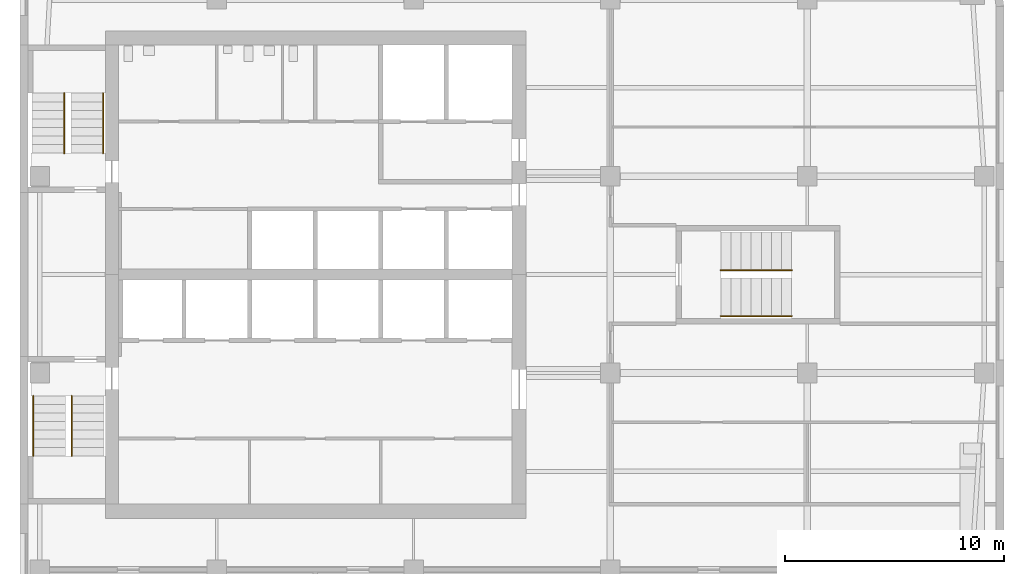
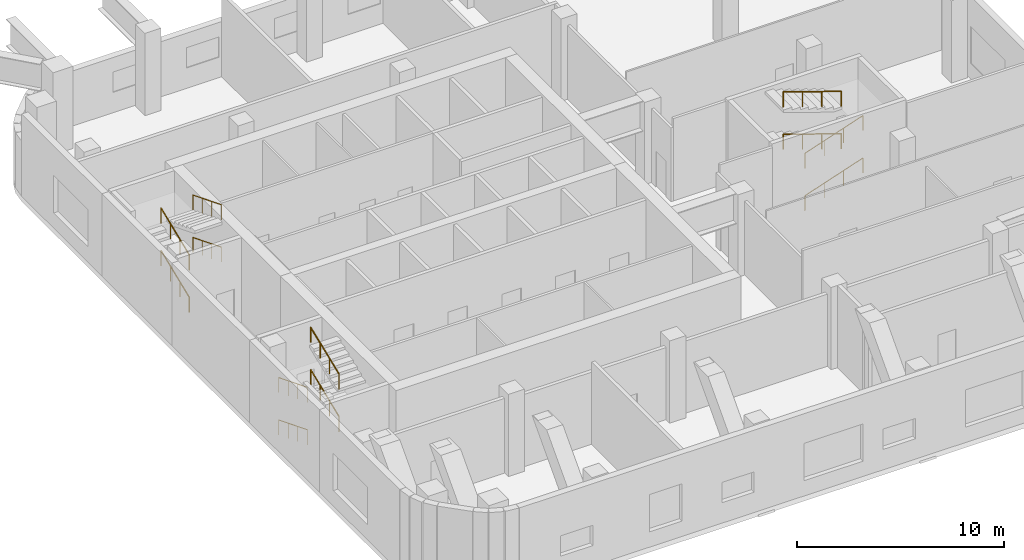
# One storey, part 7 of 8: 12 railings, 3 elements without a shape of their own.
"""IFC4 building model written with IfcOpenShell, lengths in metres."""

from ifc_helpers import new_model, si_unit, direction, frame, origin, origin_2d, place, context, subcontext, project, spatial, circle, extrude, material, type_object, element, aggregate, save


model = new_model("IFC4")

# Units and contexts
model_context = context("Model", 3, precision=1e-05, world=origin(), true_north=direction((0.0, 1.0)))
body_context = subcontext(model_context, "Body", "Model", "MODEL_VIEW")
ifc_project = project(units=[si_unit("LENGTHUNIT", "METRE"), si_unit("AREAUNIT", "SQUARE_METRE"), si_unit("VOLUMEUNIT", "CUBIC_METRE"), si_unit("PLANEANGLEUNIT", "RADIAN"), si_unit("MASSUNIT", "GRAM", prefix="KILO")], contexts=[model_context])

# Site, building, storey
site_placement = place(None, origin())
site = spatial("IfcSite", under=ifc_project, at=site_placement, CompositionType="ELEMENT")
building_placement = place(site_placement, origin())
building = spatial("IfcBuilding", under=site, at=building_placement, Name="Cinnabar Reach Civic Tower", CompositionType="ELEMENT")
storey_placement = place(building_placement, frame((0.0, 0.0, 193.0)))
storey = spatial("IfcBuildingStorey", under=building, at=storey_placement, Name="L46", CompositionType="ELEMENT", Elevation=193.0)

# Stair, railings
ifc_material_1 = material(Name="Concrete C40/50", Category="concrete")
stair_type = type_object("IfcStairType", Name="T1 Exit stair, double return", PredefinedType="DOUBLE_RETURN_STAIR", material=ifc_material_1)
stair_1_placement = place(storey_placement, origin())
stair_1 = element("IfcStair", 1, at=stair_1_placement, inside=storey, type_object=stair_type, Name="Stair T1-S1", PredefinedType="DOUBLE_RETURN_STAIR")
ifc_material_2 = material(Name="Stainless steel tube", Category="steel")
railing_type = type_object("IfcRailingType", Name="T1 Stair handrail, stainless tube 48", PredefinedType="HANDRAIL", material=ifc_material_2)
railing_1_placement = place(storey_placement, frame((0.6, 25.95, 0.1562)))
railing_1 = element("IfcRailing", 2, at=railing_1_placement, type_object=railing_type, Name="T1-S1 handrail 1", PredefinedType="HANDRAIL", context=body_context, shape_type="SweptSolid", body=[
    extrude(circle(Radius=0.024, at=origin_2d()), frame((0.0, 0.0, 0.876), z_axis=(0.0, -0.928966009512, 0.370165035047), x_axis=(1.0, 0.0, 0.0)), (0.0, 0.0, 1.0), 2.9549),
    extrude(circle(Radius=0.021, at=origin_2d()), origin(), (0.0, 0.0, 1.0), 0.852),
    extrude(circle(Radius=0.021, at=origin_2d()), frame((0.0, -0.915, 0.3646)), (0.0, 0.0, 1.0), 0.852),
    extrude(circle(Radius=0.021, at=origin_2d()), frame((0.0, -1.83, 0.7292)), (0.0, 0.0, 1.0), 0.852),
    extrude(circle(Radius=0.021, at=origin_2d()), frame((0.0, -2.745, 1.0938)), (0.0, 0.0, 1.0), 0.852),
])
railing_2_placement = place(storey_placement, frame((2.375, 23.205, 1.4062)))
railing_2 = element("IfcRailing", 3, at=railing_2_placement, type_object=railing_type, Name="T1-S1 handrail 2", PredefinedType="HANDRAIL", context=body_context, shape_type="SweptSolid", body=[
    extrude(circle(Radius=0.024, at=origin_2d()), frame((0.0, 0.0, 0.876), z_axis=(0.0, 0.928966009512, 0.370165035047), x_axis=(-1.0, 0.0, 0.0)), (0.0, 0.0, 1.0), 2.9549),
    extrude(circle(Radius=0.021, at=origin_2d()), origin(), (0.0, 0.0, 1.0), 0.852),
    extrude(circle(Radius=0.021, at=origin_2d()), frame((0.0, 0.915, 0.3646)), (0.0, 0.0, 1.0), 0.852),
    extrude(circle(Radius=0.021, at=origin_2d()), frame((0.0, 1.83, 0.7292)), (0.0, 0.0, 1.0), 0.852),
    extrude(circle(Radius=0.021, at=origin_2d()), frame((0.0, 2.745, 1.0938)), (0.0, 0.0, 1.0), 0.852),
])
railing_3_placement = place(storey_placement, frame((0.6, 25.95, 2.6562)))
railing_3 = element("IfcRailing", 4, at=railing_3_placement, type_object=railing_type, Name="T1-S1 handrail 3", PredefinedType="HANDRAIL", context=body_context, shape_type="SweptSolid", body=[
    extrude(circle(Radius=0.024, at=origin_2d()), frame((0.0, 0.0, 0.876), z_axis=(0.0, -0.928966009512, 0.370165035047), x_axis=(1.0, 0.0, 0.0)), (0.0, 0.0, 1.0), 2.9549),
    extrude(circle(Radius=0.021, at=origin_2d()), origin(), (0.0, 0.0, 1.0), 0.852),
    extrude(circle(Radius=0.021, at=origin_2d()), frame((0.0, -0.915, 0.3646)), (0.0, 0.0, 1.0), 0.852),
    extrude(circle(Radius=0.021, at=origin_2d()), frame((0.0, -1.83, 0.7292)), (0.0, 0.0, 1.0), 0.852),
    extrude(circle(Radius=0.021, at=origin_2d()), frame((0.0, -2.745, 1.0938)), (0.0, 0.0, 1.0), 0.852),
])
railing_4_placement = place(storey_placement, frame((2.375, 23.205, 3.9062)))
railing_4 = element("IfcRailing", 5, at=railing_4_placement, type_object=railing_type, Name="T1-S1 handrail 4", PredefinedType="HANDRAIL", context=body_context, shape_type="SweptSolid", body=[
    extrude(circle(Radius=0.024, at=origin_2d()), frame((0.0, 0.0, 0.876), z_axis=(0.0, 0.928966009512, 0.370165035047), x_axis=(-1.0, 0.0, 0.0)), (0.0, 0.0, 1.0), 2.9549),
    extrude(circle(Radius=0.021, at=origin_2d()), origin(), (0.0, 0.0, 1.0), 0.852),
    extrude(circle(Radius=0.021, at=origin_2d()), frame((0.0, 0.915, 0.3646)), (0.0, 0.0, 1.0), 0.852),
    extrude(circle(Radius=0.021, at=origin_2d()), frame((0.0, 1.83, 0.7292)), (0.0, 0.0, 1.0), 0.852),
    extrude(circle(Radius=0.021, at=origin_2d()), frame((0.0, 2.745, 1.0938)), (0.0, 0.0, 1.0), 0.852),
])
aggregate(stair_1, [railing_1, railing_2, railing_3, railing_4])

stair_2_placement = place(storey_placement, origin())
stair_2 = element("IfcStair", 6, at=stair_2_placement, inside=storey, type_object=stair_type, Name="Stair T1-S2", PredefinedType="DOUBLE_RETURN_STAIR")
railing_5_placement = place(storey_placement, frame((2.025, 37.05, 0.1562)))
railing_5 = element("IfcRailing", 7, at=railing_5_placement, type_object=railing_type, Name="T1-S2 handrail 1", PredefinedType="HANDRAIL", context=body_context, shape_type="SweptSolid", body=[
    extrude(circle(Radius=0.024, at=origin_2d()), frame((0.0, 0.0, 0.876), z_axis=(0.0, 0.928966009512, 0.370165035047), x_axis=(-1.0, 0.0, 0.0)), (0.0, 0.0, 1.0), 2.9549),
    extrude(circle(Radius=0.021, at=origin_2d()), origin(), (0.0, 0.0, 1.0), 0.852),
    extrude(circle(Radius=0.021, at=origin_2d()), frame((0.0, 0.915, 0.3646)), (0.0, 0.0, 1.0), 0.852),
    extrude(circle(Radius=0.021, at=origin_2d()), frame((0.0, 1.83, 0.7292)), (0.0, 0.0, 1.0), 0.852),
    extrude(circle(Radius=0.021, at=origin_2d()), frame((0.0, 2.745, 1.0938)), (0.0, 0.0, 1.0), 0.852),
])
railing_6_placement = place(storey_placement, frame((3.8, 39.795, 1.4062)))
railing_6 = element("IfcRailing", 8, at=railing_6_placement, type_object=railing_type, Name="T1-S2 handrail 2", PredefinedType="HANDRAIL", context=body_context, shape_type="SweptSolid", body=[
    extrude(circle(Radius=0.024, at=origin_2d()), frame((0.0, 0.0, 0.876), z_axis=(0.0, -0.928966009512, 0.370165035047), x_axis=(1.0, 0.0, 0.0)), (0.0, 0.0, 1.0), 2.9549),
    extrude(circle(Radius=0.021, at=origin_2d()), origin(), (0.0, 0.0, 1.0), 0.852),
    extrude(circle(Radius=0.021, at=origin_2d()), frame((0.0, -0.915, 0.3646)), (0.0, 0.0, 1.0), 0.852),
    extrude(circle(Radius=0.021, at=origin_2d()), frame((0.0, -1.83, 0.7292)), (0.0, 0.0, 1.0), 0.852),
    extrude(circle(Radius=0.021, at=origin_2d()), frame((0.0, -2.745, 1.0938)), (0.0, 0.0, 1.0), 0.852),
])
railing_7_placement = place(storey_placement, frame((2.025, 37.05, 2.6562)))
railing_7 = element("IfcRailing", 9, at=railing_7_placement, type_object=railing_type, Name="T1-S2 handrail 3", PredefinedType="HANDRAIL", context=body_context, shape_type="SweptSolid", body=[
    extrude(circle(Radius=0.024, at=origin_2d()), frame((0.0, 0.0, 0.876), z_axis=(0.0, 0.928966009512, 0.370165035047), x_axis=(-1.0, 0.0, 0.0)), (0.0, 0.0, 1.0), 2.9549),
    extrude(circle(Radius=0.021, at=origin_2d()), origin(), (0.0, 0.0, 1.0), 0.852),
    extrude(circle(Radius=0.021, at=origin_2d()), frame((0.0, 0.915, 0.3646)), (0.0, 0.0, 1.0), 0.852),
    extrude(circle(Radius=0.021, at=origin_2d()), frame((0.0, 1.83, 0.7292)), (0.0, 0.0, 1.0), 0.852),
    extrude(circle(Radius=0.021, at=origin_2d()), frame((0.0, 2.745, 1.0938)), (0.0, 0.0, 1.0), 0.852),
])
railing_8_placement = place(storey_placement, frame((3.8, 39.795, 3.9062)))
railing_8 = element("IfcRailing", 10, at=railing_8_placement, type_object=railing_type, Name="T1-S2 handrail 4", PredefinedType="HANDRAIL", context=body_context, shape_type="SweptSolid", body=[
    extrude(circle(Radius=0.024, at=origin_2d()), frame((0.0, 0.0, 0.876), z_axis=(0.0, -0.928966009512, 0.370165035047), x_axis=(1.0, 0.0, 0.0)), (0.0, 0.0, 1.0), 2.9549),
    extrude(circle(Radius=0.021, at=origin_2d()), origin(), (0.0, 0.0, 1.0), 0.852),
    extrude(circle(Radius=0.021, at=origin_2d()), frame((0.0, -0.915, 0.3646)), (0.0, 0.0, 1.0), 0.852),
    extrude(circle(Radius=0.021, at=origin_2d()), frame((0.0, -1.83, 0.7292)), (0.0, 0.0, 1.0), 0.852),
    extrude(circle(Radius=0.021, at=origin_2d()), frame((0.0, -2.745, 1.0938)), (0.0, 0.0, 1.0), 0.852),
])
aggregate(stair_2, [railing_5, railing_6, railing_7, railing_8])

stair_3_placement = place(storey_placement, origin())
stair_3 = element("IfcStair", 11, at=stair_3_placement, inside=storey, type_object=stair_type, Name="Stair T1-S3", PredefinedType="DOUBLE_RETURN_STAIR")
railing_9_placement = place(storey_placement, frame((32.05, 29.6, 0.1562)))
railing_9 = element("IfcRailing", 12, at=railing_9_placement, type_object=railing_type, Name="T1-S3 handrail 1", PredefinedType="HANDRAIL", context=body_context, shape_type="SweptSolid", body=[
    extrude(circle(Radius=0.024, at=origin_2d()), frame((0.0, 0.0, 0.876), z_axis=(0.947465695108, 0.0, 0.319857400404), x_axis=(0.0, 1.0, 0.0)), (0.0, 0.0, 1.0), 3.4196),
    extrude(circle(Radius=0.021, at=origin_2d()), origin(), (0.0, 0.0, 1.0), 0.852),
    extrude(circle(Radius=0.021, at=origin_2d()), frame((1.08, 0.0, 0.3646)), (0.0, 0.0, 1.0), 0.852),
    extrude(circle(Radius=0.021, at=origin_2d()), frame((2.16, 0.0, 0.7292)), (0.0, 0.0, 1.0), 0.852),
    extrude(circle(Radius=0.021, at=origin_2d()), frame((3.24, 0.0, 1.0938)), (0.0, 0.0, 1.0), 0.852),
])
railing_10_placement = place(storey_placement, frame((35.29, 31.7, 1.4062)))
railing_10 = element("IfcRailing", 13, at=railing_10_placement, type_object=railing_type, Name="T1-S3 handrail 2", PredefinedType="HANDRAIL", context=body_context, shape_type="SweptSolid", body=[
    extrude(circle(Radius=0.024, at=origin_2d()), frame((0.0, 0.0, 0.876), z_axis=(-0.947465695108, 0.0, 0.319857400404), x_axis=(0.0, -1.0, 0.0)), (0.0, 0.0, 1.0), 3.4196),
    extrude(circle(Radius=0.021, at=origin_2d()), origin(), (0.0, 0.0, 1.0), 0.852),
    extrude(circle(Radius=0.021, at=origin_2d()), frame((-1.08, 0.0, 0.3646)), (0.0, 0.0, 1.0), 0.852),
    extrude(circle(Radius=0.021, at=origin_2d()), frame((-2.16, 0.0, 0.7292)), (0.0, 0.0, 1.0), 0.852),
    extrude(circle(Radius=0.021, at=origin_2d()), frame((-3.24, 0.0, 1.0938)), (0.0, 0.0, 1.0), 0.852),
])
railing_11_placement = place(storey_placement, frame((32.05, 29.6, 2.6562)))
railing_11 = element("IfcRailing", 14, at=railing_11_placement, type_object=railing_type, Name="T1-S3 handrail 3", PredefinedType="HANDRAIL", context=body_context, shape_type="SweptSolid", body=[
    extrude(circle(Radius=0.024, at=origin_2d()), frame((0.0, 0.0, 0.876), z_axis=(0.947465695108, 0.0, 0.319857400404), x_axis=(0.0, 1.0, 0.0)), (0.0, 0.0, 1.0), 3.4196),
    extrude(circle(Radius=0.021, at=origin_2d()), origin(), (0.0, 0.0, 1.0), 0.852),
    extrude(circle(Radius=0.021, at=origin_2d()), frame((1.08, 0.0, 0.3646)), (0.0, 0.0, 1.0), 0.852),
    extrude(circle(Radius=0.021, at=origin_2d()), frame((2.16, 0.0, 0.7292)), (0.0, 0.0, 1.0), 0.852),
    extrude(circle(Radius=0.021, at=origin_2d()), frame((3.24, 0.0, 1.0938)), (0.0, 0.0, 1.0), 0.852),
])
railing_12_placement = place(storey_placement, frame((35.29, 31.7, 3.9062)))
railing_12 = element("IfcRailing", 15, at=railing_12_placement, type_object=railing_type, Name="T1-S3 handrail 4", PredefinedType="HANDRAIL", context=body_context, shape_type="SweptSolid", body=[
    extrude(circle(Radius=0.024, at=origin_2d()), frame((0.0, 0.0, 0.876), z_axis=(-0.947465695108, 0.0, 0.319857400404), x_axis=(0.0, -1.0, 0.0)), (0.0, 0.0, 1.0), 3.4196),
    extrude(circle(Radius=0.021, at=origin_2d()), origin(), (0.0, 0.0, 1.0), 0.852),
    extrude(circle(Radius=0.021, at=origin_2d()), frame((-1.08, 0.0, 0.3646)), (0.0, 0.0, 1.0), 0.852),
    extrude(circle(Radius=0.021, at=origin_2d()), frame((-2.16, 0.0, 0.7292)), (0.0, 0.0, 1.0), 0.852),
    extrude(circle(Radius=0.021, at=origin_2d()), frame((-3.24, 0.0, 1.0938)), (0.0, 0.0, 1.0), 0.852),
])
aggregate(stair_3, [railing_9, railing_10, railing_11, railing_12])

save(model, "model.ifc")
